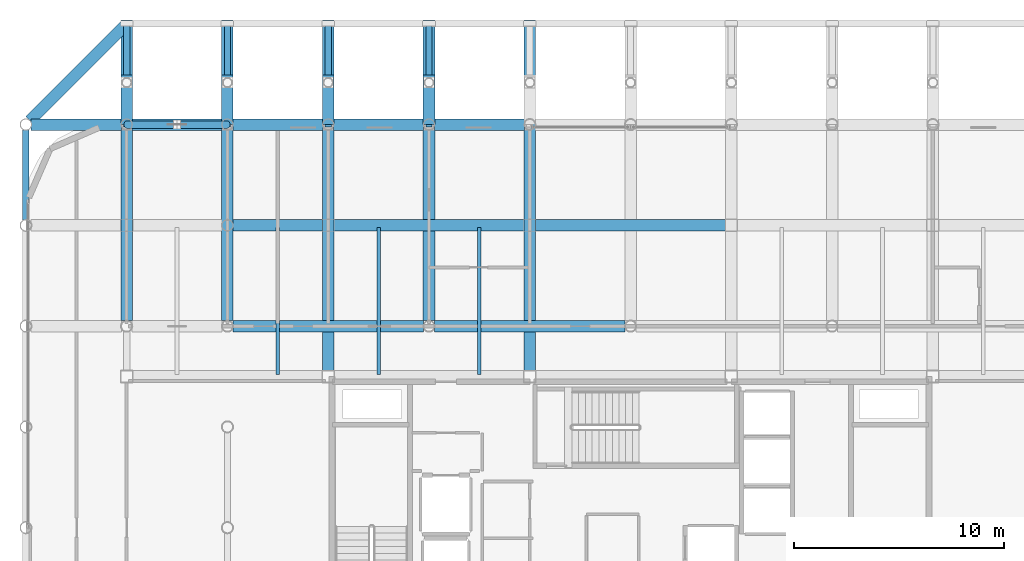
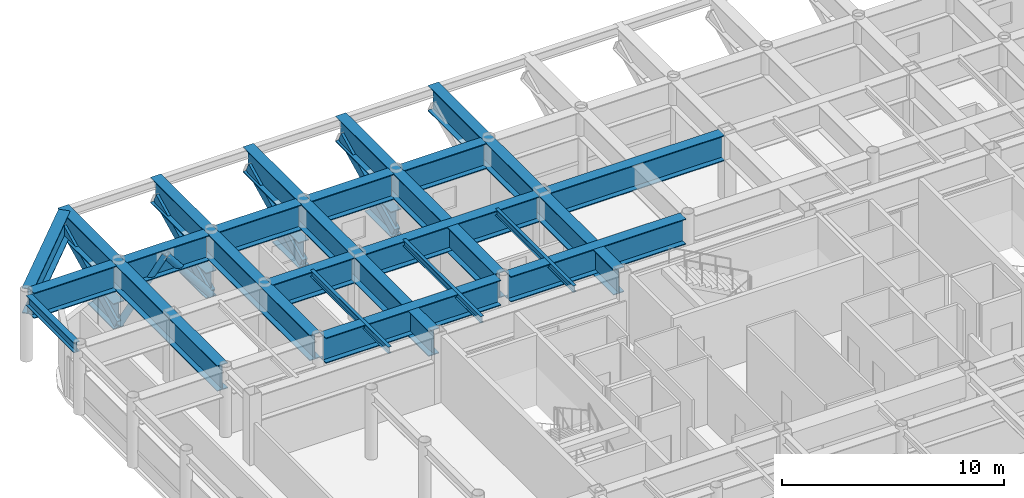
# One storey, part 13 of 24: 24 beams, 6 members.
"""IFC4 building model written with IfcOpenShell, lengths in metres."""

from ifc_helpers import new_model, si_unit, direction, frame, origin, origin_2d, place, context, subcontext, project, spatial, hollow_rectangle, hollow_circle, i_section, extrude, material, material_profile, profile_set, type_object, element, save


model = new_model("IFC4")

# Units and contexts
model_context = context("Model", 3, precision=1e-05, world=origin(), true_north=direction((0.0, 1.0)))
body_context = subcontext(model_context, "Body", "Model", "MODEL_VIEW")
ifc_project = project(units=[si_unit("LENGTHUNIT", "METRE"), si_unit("AREAUNIT", "SQUARE_METRE"), si_unit("VOLUMEUNIT", "CUBIC_METRE"), si_unit("PLANEANGLEUNIT", "RADIAN"), si_unit("MASSUNIT", "GRAM", prefix="KILO")], contexts=[model_context])

# Site, building, storey
site_placement = place(None, origin())
site = spatial("IfcSite", under=ifc_project, at=site_placement, CompositionType="ELEMENT")
building_placement = place(site_placement, origin())
building = spatial("IfcBuilding", under=site, at=building_placement, Name="Kallvorn Hotel Tower", CompositionType="ELEMENT")
storey_placement = place(building_placement, frame((0.0, 0.0, 218.449951171875)))
storey = spatial("IfcBuildingStorey", under=building, at=storey_placement, Name="L54", CompositionType="ELEMENT", Elevation=218.449951171875)

# Beams
ifc_material_1 = material(Name="Structural steel S355JR", Category="steel")
ifc_material_profile_1 = material_profile(ifc_material_1, i_section(OverallWidth=0.300048828125, OverallDepth=0.550048828125, WebThickness=0.014892578125, FlangeThickness=0.029052734375, at=origin_2d()), Name="HE 550 B")
ifc_profile_set_1 = profile_set([ifc_material_profile_1], Name="Structural steel S355JR")
beam_type_1 = type_object("IfcBeamType", Name="BM_HE550B", PredefinedType="SPANDREL", material=ifc_profile_set_1)
beam_1_placement = place(storey_placement, frame((-28.800048828125, 14.654541015625, 3.39501953125), z_axis=(0.0, 1.0, 0.0), x_axis=(-1.0, 0.0, 0.0)))
element("IfcBeam", 1, at=beam_1_placement, inside=storey, type_object=beam_type_1, Name="L55 Primary Y-Girder 93", PredefinedType="SPANDREL", context=body_context, shape_type="SweptSolid", body=[
    extrude(i_section(OverallWidth=0.300048828125, OverallDepth=0.550048828125, WebThickness=0.014892578125, FlangeThickness=0.029052734375, at=origin_2d()), origin(), (0.0, 0.0, 1.0), 4.291015625),
])
ifc_material_2 = material(Name="Structural steel S355JR", Category="steel")
ifc_material_profile_2 = material_profile(ifc_material_2, i_section(OverallWidth=0.169921875, OverallDepth=0.360107421875, WebThickness=0.008056640625, FlangeThickness=0.0126953125, at=origin_2d()), Name="IPE 360")
ifc_profile_set_2 = profile_set([ifc_material_profile_2], Name="Structural steel S355JR")
beam_type_2 = type_object("IfcBeamType", Name="BM_IPE360", PredefinedType="JOIST", material=ifc_profile_set_2)
for number, where, z_axis, x_axis, name in (
    (2, (-16.800048828125, 7.300048828125, 3.489990234375), (0.0, 1.0, 0.0), (-1.0, 0.0, 0.0), "L55 Secondary Composite Joist 208"),
    (3, (-12.0, 7.300048828125, 3.489990234375), (0.0, 1.0, 0.0), (-1.0, 0.0, 0.0), "L55 Secondary Composite Joist 210"),
    (4, (-7.199951171875, 7.300048828125, 3.489990234375), (0.0, 1.0, 0.0), (-1.0, 0.0, 0.0), "L55 Secondary Composite Joist 212"),
):
    element("IfcBeam", number, at=place(storey_placement, frame(where, z_axis=z_axis, x_axis=x_axis)), inside=storey, type_object=beam_type_2, Name=name, PredefinedType="JOIST", context=body_context, shape_type="SweptSolid", body=[
        extrude(i_section(OverallWidth=0.169921875, OverallDepth=0.360107421875, WebThickness=0.008056640625, FlangeThickness=0.0126953125, at=origin_2d()), origin(), (0.0, 0.0, 1.0), 7.0),
    ])
ifc_material_3 = material(Name="Structural steel S355JR", Category="steel")
ifc_material_profile_3 = material_profile(ifc_material_3, i_section(OverallWidth=0.550048828125, OverallDepth=1.39990234375, WebThickness=0.02490234375, FlangeThickness=0.044921875, at=origin_2d()), Name="PG 1400x550x25x45")
ifc_profile_set_3 = profile_set([ifc_material_profile_3], Name="Structural steel S355JR")
beam_type_3 = type_object("IfcBeamType", Name="BM_PG_1400", PredefinedType="BEAM", material=ifc_profile_set_3)
beam_2_placement = place(storey_placement, frame((-24.0, 9.869384765625, 2.969970703125), z_axis=(0.0, 1.0, 0.0), x_axis=(-1.0, 0.0, 0.0)))
element("IfcBeam", 5, at=beam_2_placement, inside=storey, type_object=beam_type_3, Name="L55 Continuous Cantilever Transfer Girder 01", PredefinedType="BEAM", context=body_context, shape_type="SweptSolid", body=[
    extrude(i_section(OverallWidth=0.550048828125, OverallDepth=1.39990234375, WebThickness=0.02490234375, FlangeThickness=0.044921875, at=origin_2d()), origin(), (0.0, 0.0, 1.0), 14.310546875),
])
beam_3_placement = place(storey_placement, frame((-24.0, 19.199951171875, 0.719970703125), z_axis=(0.0, 1.0, 0.0), x_axis=(-1.0, 0.0, 0.0)))
element("IfcBeam", 6, at=beam_3_placement, inside=storey, type_object=beam_type_3, Name="L55 Cantilever Haunch Corbel 01", PredefinedType="BEAM", context=body_context, shape_type="SweptSolid", body=[
    extrude(i_section(OverallWidth=0.550048828125, OverallDepth=1.39990234375, WebThickness=0.02490234375, FlangeThickness=0.044921875, at=origin_2d()), origin(), (0.0, 0.0, 1.0), 2.35009765625),
])
beam_4_placement = place(storey_placement, frame((-19.199951171875, 9.869384765625, 2.969970703125), z_axis=(0.0, 1.0, 0.0), x_axis=(-1.0, 0.0, 0.0)))
element("IfcBeam", 7, at=beam_4_placement, inside=storey, type_object=beam_type_3, Name="L55 Continuous Cantilever Transfer Girder 02", PredefinedType="BEAM", context=body_context, shape_type="SweptSolid", body=[
    extrude(i_section(OverallWidth=0.550048828125, OverallDepth=1.39990234375, WebThickness=0.02490234375, FlangeThickness=0.044921875, at=origin_2d()), origin(), (0.0, 0.0, 1.0), 14.310546875),
])
beam_5_placement = place(storey_placement, frame((-19.199951171875, 19.199951171875, 0.719970703125), z_axis=(0.0, 1.0, 0.0), x_axis=(-1.0, 0.0, 0.0)))
element("IfcBeam", 8, at=beam_5_placement, inside=storey, type_object=beam_type_3, Name="L55 Cantilever Haunch Corbel 02", PredefinedType="BEAM", context=body_context, shape_type="SweptSolid", body=[
    extrude(i_section(OverallWidth=0.550048828125, OverallDepth=1.39990234375, WebThickness=0.02490234375, FlangeThickness=0.044921875, at=origin_2d()), origin(), (0.0, 0.0, 1.0), 2.35009765625),
])
beam_6_placement = place(storey_placement, frame((-14.39990234375, 7.489990234375, 2.969970703125), z_axis=(0.0, 1.0, 0.0), x_axis=(-1.0, 0.0, 0.0)))
element("IfcBeam", 9, at=beam_6_placement, inside=storey, type_object=beam_type_3, Name="L55 Continuous Cantilever Transfer Girder 03", PredefinedType="BEAM", context=body_context, shape_type="SweptSolid", body=[
    extrude(i_section(OverallWidth=0.550048828125, OverallDepth=1.39990234375, WebThickness=0.02490234375, FlangeThickness=0.044921875, at=origin_2d()), origin(), (0.0, 0.0, 1.0), 16.68994140625),
])
beam_7_placement = place(storey_placement, frame((-14.39990234375, 19.199951171875, 0.719970703125), z_axis=(0.0, 1.0, 0.0), x_axis=(-1.0, 0.0, 0.0)))
element("IfcBeam", 10, at=beam_7_placement, inside=storey, type_object=beam_type_3, Name="L55 Cantilever Haunch Corbel 03", PredefinedType="BEAM", context=body_context, shape_type="SweptSolid", body=[
    extrude(i_section(OverallWidth=0.550048828125, OverallDepth=1.39990234375, WebThickness=0.02490234375, FlangeThickness=0.044921875, at=origin_2d()), origin(), (0.0, 0.0, 1.0), 2.35009765625),
])
beam_8_placement = place(storey_placement, frame((-9.60009765625, 9.869384765625, 2.969970703125), z_axis=(0.0, 1.0, 0.0), x_axis=(-1.0, 0.0, 0.0)))
element("IfcBeam", 11, at=beam_8_placement, inside=storey, type_object=beam_type_3, Name="L55 Continuous Cantilever Transfer Girder 04", PredefinedType="BEAM", context=body_context, shape_type="SweptSolid", body=[
    extrude(i_section(OverallWidth=0.550048828125, OverallDepth=1.39990234375, WebThickness=0.02490234375, FlangeThickness=0.044921875, at=origin_2d()), origin(), (0.0, 0.0, 1.0), 14.310546875),
])
beam_9_placement = place(storey_placement, frame((-9.60009765625, 19.199951171875, 0.719970703125), z_axis=(0.0, 1.0, 0.0), x_axis=(-1.0, 0.0, 0.0)))
element("IfcBeam", 12, at=beam_9_placement, inside=storey, type_object=beam_type_3, Name="L55 Cantilever Haunch Corbel 04", PredefinedType="BEAM", context=body_context, shape_type="SweptSolid", body=[
    extrude(i_section(OverallWidth=0.550048828125, OverallDepth=1.39990234375, WebThickness=0.02490234375, FlangeThickness=0.044921875, at=origin_2d()), origin(), (0.0, 0.0, 1.0), 2.35009765625),
])
beam_10_placement = place(storey_placement, frame((-4.800048828125, 7.489990234375, 2.969970703125), z_axis=(0.0, 1.0, 0.0), x_axis=(-1.0, 0.0, 0.0)))
element("IfcBeam", 13, at=beam_10_placement, inside=storey, type_object=beam_type_3, Name="L55 Continuous Cantilever Transfer Girder 05", PredefinedType="BEAM", context=body_context, shape_type="SweptSolid", body=[
    extrude(i_section(OverallWidth=0.550048828125, OverallDepth=1.39990234375, WebThickness=0.02490234375, FlangeThickness=0.044921875, at=origin_2d()), origin(), (0.0, 0.0, 1.0), 16.68994140625),
])
for number, where, z_axis, x_axis, name in (
    (14, (-18.945556640625, 9.60009765625, 2.969970703125), (1.0, 0.0, 0.0), (0.0, 1.0, 0.0), "L55 Primary X-Girder 57"),
    (15, (-9.345458984375, 9.60009765625, 2.969970703125), (1.0, 0.0, 0.0), (0.0, 1.0, 0.0), "L55 Primary X-Girder 58"),
):
    element("IfcBeam", number, at=place(storey_placement, frame(where, z_axis=z_axis, x_axis=x_axis)), inside=storey, type_object=beam_type_3, Name=name, PredefinedType="BEAM", context=body_context, shape_type="SweptSolid", body=[
        extrude(i_section(OverallWidth=0.550048828125, OverallDepth=1.39990234375, WebThickness=0.02490234375, FlangeThickness=0.044921875, at=origin_2d()), origin(), (0.0, 0.0, 1.0), 9.091064453125),
    ])
beam_11_placement = place(storey_placement, frame((-18.945556640625, 14.39990234375, 2.969970703125), z_axis=(1.0, 0.0, 0.0), x_axis=(0.0, 1.0, 0.0)))
element("IfcBeam", 16, at=beam_11_placement, inside=storey, type_object=beam_type_3, Name="L55 Primary X-Girder 66", PredefinedType="BEAM", context=body_context, shape_type="SweptSolid", body=[
    extrude(i_section(OverallWidth=0.550048828125, OverallDepth=1.39990234375, WebThickness=0.02490234375, FlangeThickness=0.044921875, at=origin_2d()), origin(), (0.0, 0.0, 1.0), 4.2705078125),
])
beam_12_placement = place(storey_placement, frame((-14.125, 14.39990234375, 2.969970703125), z_axis=(1.0, 0.0, 0.0), x_axis=(0.0, 1.0, 0.0)))
element("IfcBeam", 17, at=beam_12_placement, inside=storey, type_object=beam_type_3, Name="L55 Primary X-Girder 67", PredefinedType="BEAM", context=body_context, shape_type="SweptSolid", body=[
    extrude(i_section(OverallWidth=0.550048828125, OverallDepth=1.39990234375, WebThickness=0.02490234375, FlangeThickness=0.044921875, at=origin_2d()), origin(), (0.0, 0.0, 1.0), 9.050048828125),
])
beam_13_placement = place(storey_placement, frame((-4.52490234375, 14.39990234375, 2.969970703125), z_axis=(1.0, 0.0, 0.0), x_axis=(0.0, 1.0, 0.0)))
element("IfcBeam", 18, at=beam_13_placement, inside=storey, type_object=beam_type_3, Name="L55 Primary X-Girder 68", PredefinedType="BEAM", context=body_context, shape_type="SweptSolid", body=[
    extrude(i_section(OverallWidth=0.550048828125, OverallDepth=1.39990234375, WebThickness=0.02490234375, FlangeThickness=0.044921875, at=origin_2d()), origin(), (0.0, 0.0, 1.0), 9.0498046875),
])
for number, where, z_axis, x_axis, name in (
    (19, (-28.54541015625, 19.199951171875, 2.969970703125), (1.0, 0.0, 0.0), (0.0, 1.0, 0.0), "L55 Primary X-Girder 74"),
    (20, (-23.74560546875, 19.199951171875, 2.969970703125), (1.0, 0.0, 0.0), (0.0, 1.0, 0.0), "L55 Primary X-Girder 75"),
    (21, (-18.945556640625, 19.199951171875, 2.969970703125), (1.0, 0.0, 0.0), (0.0, 1.0, 0.0), "L55 Primary X-Girder 76"),
    (22, (-14.1455078125, 19.199951171875, 2.969970703125), (1.0, 0.0, 0.0), (0.0, 1.0, 0.0), "L55 Primary X-Girder 77"),
    (23, (-9.345458984375, 19.199951171875, 2.969970703125), (1.0, 0.0, 0.0), (0.0, 1.0, 0.0), "L55 Primary X-Girder 78"),
):
    element("IfcBeam", number, at=place(storey_placement, frame(where, z_axis=z_axis, x_axis=x_axis)), inside=storey, type_object=beam_type_3, Name=name, PredefinedType="BEAM", context=body_context, shape_type="SweptSolid", body=[
        extrude(i_section(OverallWidth=0.550048828125, OverallDepth=1.39990234375, WebThickness=0.02490234375, FlangeThickness=0.044921875, at=origin_2d()), origin(), (0.0, 0.0, 1.0), 4.291015625),
    ])
beam_14_placement = place(storey_placement, frame((-28.609375, 19.390625, 2.969970703125), z_axis=(0.707106781187, 0.707106781187, 0.0), x_axis=(-0.707106781187, 0.707106781187, 0.0)))
element("IfcBeam", 24, at=beam_14_placement, inside=storey, type_object=beam_type_3, Name="L55 Rounded Corner Tie Beam 202", PredefinedType="BEAM", context=body_context, shape_type="SweptSolid", body=[
    extrude(i_section(OverallWidth=0.550048828125, OverallDepth=1.39990234375, WebThickness=0.02490234375, FlangeThickness=0.044921875, at=origin_2d()), origin(), (0.0, 0.0, 1.0), 6.368408203125),
])

# Members
ifc_material_4 = material(Name="Structural steel S355J2H", Category="steel")
ifc_material_profile_4 = material_profile(ifc_material_4, hollow_circle(Radius=0.177734375, WallThickness=0.01416015625, at=origin_2d()), Name="CHS 355.6x14.2")
ifc_profile_set_4 = profile_set([ifc_material_profile_4], Name="Structural steel S355J2H")
member_type_1 = type_object("IfcMemberType", Name="MBR_EXO_CHS355", PredefinedType="BRACE", material=ifc_profile_set_4)
for number, where, z_axis, x_axis, name in (
    (25, (-23.987548828125, 19.199951171875, 0.19580078125), (0.620928510901, 0.0, 0.783867198159), (0.0, 1.0, 0.0), "L54 Exoskeleton K-Brace N1A"),
    (26, (-19.21240234375, 19.199951171875, 0.19580078125), (-0.620928510901, 0.0, 0.783867198159), (0.0, -1.0, 0.0), "L54 Exoskeleton K-Brace N1B"),
):
    element("IfcMember", number, at=place(storey_placement, frame(where, z_axis=z_axis, x_axis=x_axis)), inside=storey, type_object=member_type_1, Name=name, PredefinedType="BRACE", context=body_context, shape_type="SweptSolid", body=[
        extrude(hollow_circle(Radius=0.177734375, WallThickness=0.01416015625, at=origin_2d()), origin(), (0.0, 0.0, 1.0), 3.8251953125),
    ])
ifc_material_5 = material(Name="Structural steel S355J2H", Category="steel")
ifc_material_profile_5 = material_profile(ifc_material_5, hollow_rectangle(XDim=0.300048828125, YDim=0.5, WallThickness=0.02490234375, at=origin_2d()), Name="RHS 500x300x25")
ifc_profile_set_5 = profile_set([ifc_material_profile_5], Name="Structural steel S355J2H")
member_type_2 = type_object("IfcMemberType", Name="MBR_OUTRIGGER_RHS500", PredefinedType="BRACE", material=ifc_profile_set_5)
for number, where, z_axis, x_axis, name in (
    (27, (-24.0, 19.199951171875, 0.25), (0.0, 0.896650696442, 0.442738668484), (-1.0, 0.0, 0.0), "L55 Exoskeleton Cantilever Raking Strut 01"),
    (28, (-19.199951171875, 19.199951171875, 0.25), (0.0, 0.896650696442, 0.442738668484), (-1.0, 0.0, 0.0), "L55 Exoskeleton Cantilever Raking Strut 02"),
    (29, (-14.39990234375, 19.199951171875, 0.25), (0.0, 0.896650696442, 0.442738668484), (-1.0, 0.0, 0.0), "L55 Exoskeleton Cantilever Raking Strut 03"),
    (30, (-9.60009765625, 19.199951171875, 0.25), (0.0, 0.896650696442, 0.442738668484), (-1.0, 0.0, 0.0), "L55 Exoskeleton Cantilever Raking Strut 04"),
):
    element("IfcMember", number, at=place(storey_placement, frame(where, z_axis=z_axis, x_axis=x_axis)), inside=storey, type_object=member_type_2, Name=name, PredefinedType="BRACE", context=body_context, shape_type="SweptSolid", body=[
        extrude(hollow_rectangle(XDim=0.300048828125, YDim=0.5, WallThickness=0.02490234375, at=origin_2d()), origin(), (0.0, 0.0, 1.0), 5.353271484375),
    ])

save(model, "model.ifc")
